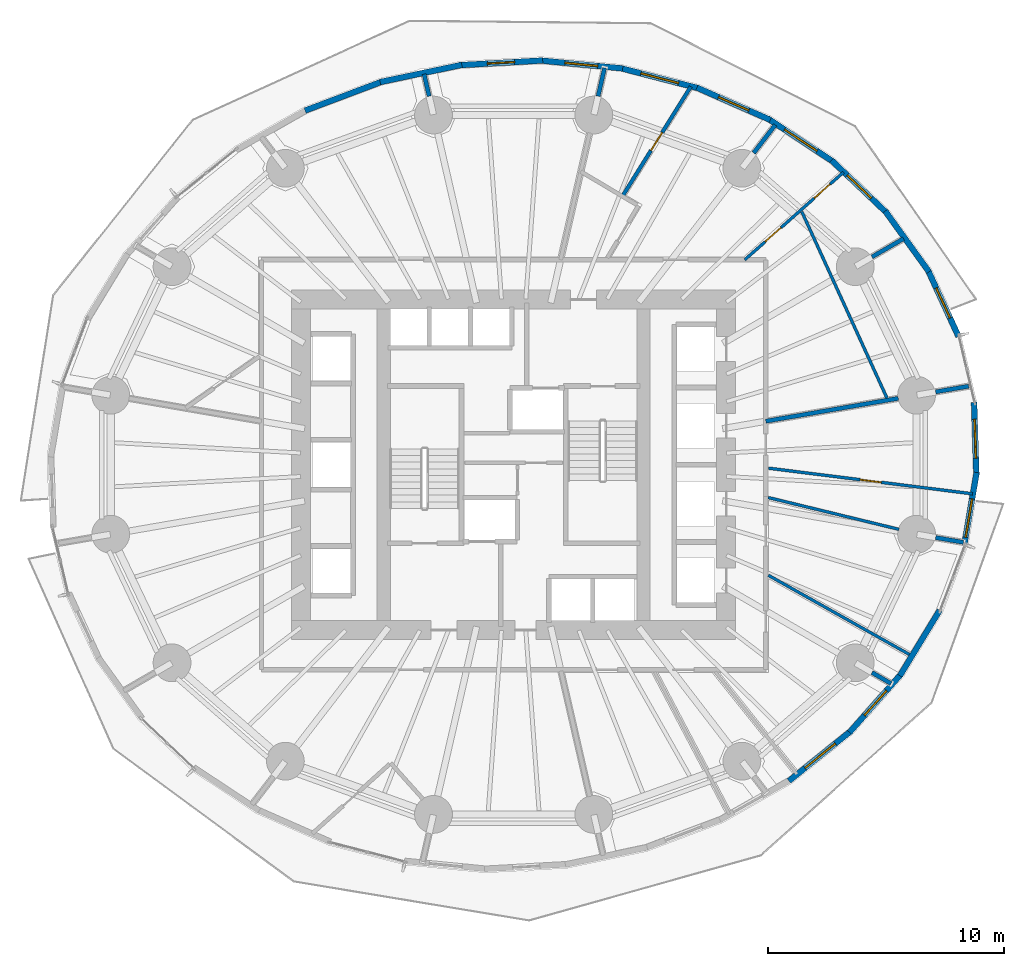
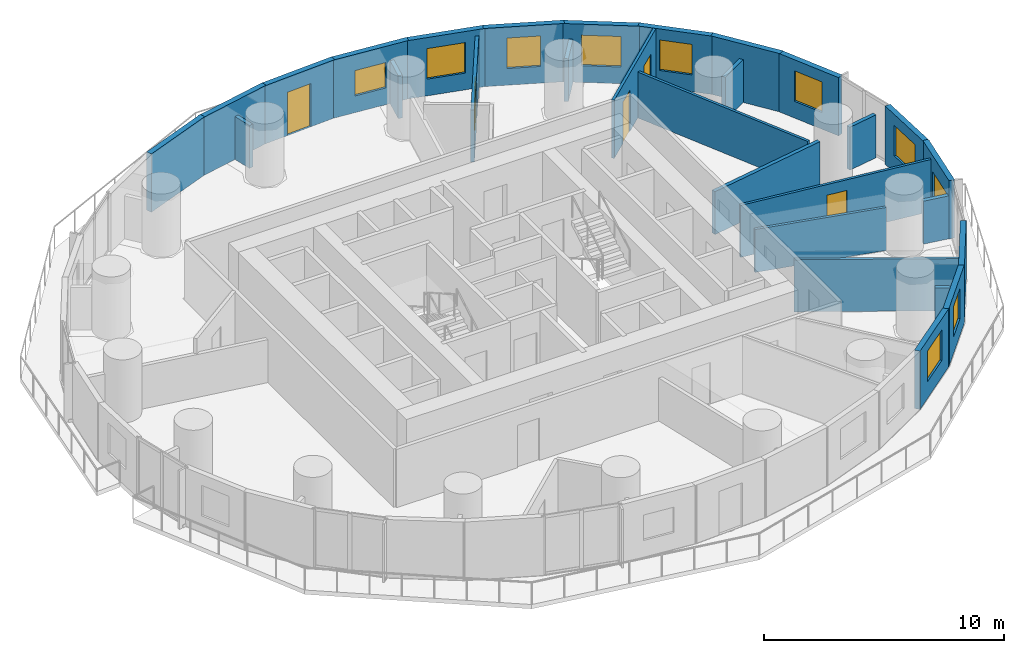
# One storey, part 9 of 14: 29 walls, 10 windows, 5 doors, 15 openings.
"""IFC4 building model written with IfcOpenShell, lengths in metres."""

from ifc_helpers import new_model, si_unit, direction, frame, frame_2d, origin, place, context, subcontext, project, spatial, rectangle, extrude, material, layer, layer_set, type_object, element, fill, save


model = new_model("IFC4")

# Units and contexts
model_context = context("Model", 3, precision=1e-05, world=origin(), true_north=direction((0.0, 1.0)))
body_context = subcontext(model_context, "Body", "Model", "MODEL_VIEW")
ifc_project = project(units=[si_unit("LENGTHUNIT", "METRE"), si_unit("AREAUNIT", "SQUARE_METRE"), si_unit("VOLUMEUNIT", "CUBIC_METRE"), si_unit("PLANEANGLEUNIT", "RADIAN"), si_unit("MASSUNIT", "GRAM", prefix="KILO")], contexts=[model_context])

# Site, building, storey
site_placement = place(None, origin())
site = spatial("IfcSite", under=ifc_project, at=site_placement, CompositionType="ELEMENT")
building_placement = place(site_placement, origin())
building = spatial("IfcBuilding", under=site, at=building_placement, Name="Veldorim Arch Residences", CompositionType="ELEMENT")
storey_placement = place(building_placement, frame((0.0, 0.0, 34.39990234375)))
storey = spatial("IfcBuildingStorey", under=building, at=storey_placement, Name="L09", CompositionType="ELEMENT", Elevation=34.39990234375)

# Wall, opening, door
ifc_material_1 = material(Name="Acoustic Gypsum Board", Category="gypsum")
ifc_layer_1 = layer(ifc_material_1, 0.125, Name="Acoustic Stud Room Partition Wall 125")
ifc_layer_set_1 = layer_set([ifc_layer_1], Name="Acoustic Gypsum Board")
wall_type_1 = type_object("IfcWallType", Name="Acoustic Stud Room Partition Wall 125", PredefinedType="PARTITIONING", material=ifc_layer_set_1)
wall_1_placement = place(storey_placement, frame((51.439453125, 22.767822265625, 0.0), z_axis=(0.0, 0.0, 1.0), x_axis=(-0.992204813033, 0.124617851825, 0.0)))
wall_1 = element("IfcWall", 1, at=wall_1_placement, inside=storey, type_object=wall_type_1, Name="L09 interior wall WL-RES-L09-006", PredefinedType="PARTITIONING", context=body_context, shape_type="SweptSolid", body=[
    extrude(rectangle(XDim=8.708251953125, YDim=0.125, at=frame_2d((4.35400390625, 0.0))), origin(), (0.0, 0.0, 1.0), 2.6416015625),
])
opening_1_placement = place(wall_1_placement, frame((3.904052734375, 0.0, 0.0)))
opening_1 = element("IfcOpeningElement", 2, at=opening_1_placement, cuts=wall_1, Name="Opening DR-SVC", PredefinedType="OPENING", context=body_context, shape_type="SweptSolid", body=[
    extrude(rectangle(XDim=0.89990234375, YDim=2.10009765625, at=frame_2d((0.449951171875, 1.050048828125))), frame((0.0, 0.072509765625, 0.0), z_axis=(0.0, -1.0, 0.0), x_axis=(1.0, 0.0, 0.0)), (0.0, 0.0, 1.0), 0.14501953125),
])
ifc_material_2 = material(Name="Fire-Rated Steel", Category="steel")
door_type_1 = type_object("IfcDoorType", Name="Riser, Shelter & Plant Room Rated Steel Door 900x2100", OperationType="SINGLE_SWING_LEFT", PredefinedType="DOOR", material=ifc_material_2)
door_1_placement = place(opening_1_placement, origin())
door_1 = element("IfcDoor", 3, at=door_1_placement, inside=storey, type_object=door_type_1, Name="L09 interior door DR-RES-L09-006", OperationType="SINGLE_SWING_RIGHT", OverallHeight=2.10009765625, OverallWidth=0.89990234375, PredefinedType="DOOR", context=body_context, shape_type="SweptSolid", body=[
    extrude(rectangle(XDim=0.89990234375, YDim=2.10009765625, at=frame_2d((0.449951171875, 1.050048828125))), frame((0.0, 0.02490234375, 0.0), z_axis=(0.0, -1.0, 0.0), x_axis=(1.0, 0.0, 0.0)), (0.0, 0.0, 1.0), 0.050048828125),
])
fill(opening_1, door_1)

# Walls
wall_2_placement = place(storey_placement, frame((48.85791015625, 15.9091796875, 0.0), z_axis=(0.0, 0.0, 1.0), x_axis=(-0.871931019114, 0.489628734764, 0.0)))
element("IfcWall", 4, at=wall_2_placement, inside=storey, type_object=wall_type_1, Name="L09 interior wall WL-RES-L09-008", PredefinedType="PARTITIONING", context=body_context, shape_type="SweptSolid", body=[
    extrude(rectangle(XDim=6.96533203125, YDim=0.125, at=frame_2d((3.482666015625, 0.0))), origin(), (0.0, 0.0, 1.0), 2.6416015625),
])
wall_3_placement = place(storey_placement, frame((42.777099609375, 22.612060546875, 0.0), z_axis=(0.0, 0.0, 1.0), x_axis=(0.971633604644, -0.236491307083, 0.0)))
element("IfcWall", 5, at=wall_3_placement, inside=storey, type_object=wall_type_1, Name="L09 interior wall WL-RES-L09-009", PredefinedType="PARTITIONING", context=body_context, shape_type="SweptSolid", body=[
    extrude(rectangle(XDim=5.706787109375, YDim=0.125, at=frame_2d((2.853515625, 0.0))), origin(), (0.0, 0.0, 1.0), 2.17822265625),
])

# Wall, openings, doors
wall_4_placement = place(storey_placement, frame((45.972900390625, 36.389892578125, 0.0), z_axis=(0.0, 0.0, 1.0), x_axis=(-0.748208515509, -0.663463651845, 0.0)))
wall_4 = element("IfcWall", 6, at=wall_4_placement, inside=storey, type_object=wall_type_1, Name="L09 interior wall WL-RES-L09-014", PredefinedType="PARTITIONING", context=body_context, shape_type="SweptSolid", body=[
    extrude(rectangle(XDim=5.591796875, YDim=0.125, at=frame_2d((2.7958984375, 0.0))), origin(), (0.0, 0.0, 1.0), 2.955078125),
])
opening_2_placement = place(wall_4_placement, frame((0.7646484375, 0.0, 0.0)))
opening_2 = element("IfcOpeningElement", 7, at=opening_2_placement, cuts=wall_4, Name="Opening DR-INT", PredefinedType="OPENING", context=body_context, shape_type="SweptSolid", body=[
    extrude(rectangle(XDim=0.89990234375, YDim=2.10009765625, at=frame_2d((0.449951171875, 1.050048828125))), frame((0.0, 0.072509765625, 0.0), z_axis=(0.0, -1.0, 0.0), x_axis=(1.0, 0.0, 0.0)), (0.0, 0.0, 1.0), 0.14501953125),
])
opening_3_placement = place(wall_4_placement, frame((3.5400390625, 0.0, 0.0)))
opening_3 = element("IfcOpeningElement", 8, at=opening_3_placement, cuts=wall_4, Name="Opening DR-INT", PredefinedType="OPENING", context=body_context, shape_type="SweptSolid", body=[
    extrude(rectangle(XDim=0.89990234375, YDim=2.10009765625, at=frame_2d((0.449951171875, 1.050048828125))), frame((0.0, 0.072509765625, 0.0), z_axis=(0.0, -1.0, 0.0), x_axis=(1.0, 0.0, 0.0)), (0.0, 0.0, 1.0), 0.14501953125),
])
ifc_material_3 = material(Name="Engineered Timber", Category="wood")
door_type_2 = type_object("IfcDoorType", Name="Apartment Internal Room Timber Door 900x2100", OperationType="SINGLE_SWING_LEFT", PredefinedType="DOOR", material=ifc_material_3)
door_2_placement = place(opening_2_placement, origin())
door_2 = element("IfcDoor", 9, at=door_2_placement, inside=storey, type_object=door_type_2, Name="L09 interior door DR-RES-L09-009", OperationType="SINGLE_SWING_LEFT", OverallHeight=2.10009765625, OverallWidth=0.89990234375, PredefinedType="DOOR", context=body_context, shape_type="SweptSolid", body=[
    extrude(rectangle(XDim=0.89990234375, YDim=2.10009765625, at=frame_2d((0.449951171875, 1.050048828125))), frame((0.0, 0.02490234375, 0.0), z_axis=(0.0, -1.0, 0.0), x_axis=(1.0, 0.0, 0.0)), (0.0, 0.0, 1.0), 0.050048828125),
])
fill(opening_2, door_2)
door_3_placement = place(opening_3_placement, origin())
door_3 = element("IfcDoor", 10, at=door_3_placement, inside=storey, type_object=door_type_2, Name="L09 interior door DR-RES-L09-010", OperationType="SINGLE_SWING_RIGHT", OverallHeight=2.10009765625, OverallWidth=0.89990234375, PredefinedType="DOOR", context=body_context, shape_type="SweptSolid", body=[
    extrude(rectangle(XDim=0.89990234375, YDim=2.10009765625, at=frame_2d((0.449951171875, 1.050048828125))), frame((0.0, 0.02490234375, 0.0), z_axis=(0.0, -1.0, 0.0), x_axis=(1.0, 0.0, 0.0)), (0.0, 0.0, 1.0), 0.050048828125),
])
fill(opening_3, door_3)

# Walls
wall_5_placement = place(storey_placement, frame((47.81005859375, 26.827392578125, 0.0), z_axis=(0.0, 0.0, 1.0), x_axis=(-0.41559351113, 0.909550456823, 0.0)))
element("IfcWall", 11, at=wall_5_placement, inside=storey, type_object=wall_type_1, Name="L09 interior wall WL-RES-L09-018", PredefinedType="PARTITIONING", context=body_context, shape_type="SweptSolid", body=[
    extrude(rectangle(XDim=8.6767578125, YDim=0.125, at=frame_2d((4.33837890625, 0.0))), origin(), (0.0, 0.0, 1.0), 2.327880859375),
])
ifc_material_4 = material(Name="Lightweight Masonry Block & Gypsum", Category="masonry")
ifc_layer_2 = layer(ifc_material_4, 0.179931640625, Name="Compartment & Corridor Fire-Rated Party Wall 180")
ifc_layer_set_2 = layer_set([ifc_layer_2], Name="Lightweight Masonry Block & Gypsum")
wall_type_2 = type_object("IfcWallType", Name="Compartment & Corridor Fire-Rated Party Wall 180", PredefinedType="PARTITIONING", material=ifc_layer_set_2)
wall_6_placement = place(storey_placement, frame((49.873779296875, 27.08544921875, 0.0), z_axis=(0.0, 0.0, 1.0), x_axis=(0.985419363098, 0.170143112797, 0.0)))
element("IfcWall", 12, at=wall_6_placement, inside=storey, type_object=wall_type_2, Name="L09 interior wall WL-PIER-L09-01", PredefinedType="PARTITIONING", context=body_context, shape_type="SweptSolid", body=[
    extrude(rectangle(XDim=1.419189453125, YDim=0.179931640625, at=frame_2d((0.70947265625, 0.0))), origin(), (0.0, 0.0, 1.0), 2.17822265625),
])
wall_7_placement = place(storey_placement, frame((47.177001953125, 32.80029296875, 0.0), z_axis=(0.0, 0.0, 1.0), x_axis=(0.865036673907, 0.501708633369, 0.0)))
element("IfcWall", 13, at=wall_7_placement, inside=storey, type_object=wall_type_2, Name="L09 interior wall WL-PIER-L09-02", PredefinedType="PARTITIONING", context=body_context, shape_type="SweptSolid", body=[
    extrude(rectangle(XDim=1.54541015625, YDim=0.179931640625, at=frame_2d((0.772705078125, 0.0))), origin(), (0.0, 0.0, 1.0), 2.17822265625),
])
wall_8_placement = place(storey_placement, frame((42.167236328125, 37.204833984375, 0.0), z_axis=(0.0, 0.0, 1.0), x_axis=(0.609978856004, 0.792417689876, 0.0)))
element("IfcWall", 14, at=wall_8_placement, inside=storey, type_object=wall_type_2, Name="L09 interior wall WL-PIER-L09-03", PredefinedType="PARTITIONING", context=body_context, shape_type="SweptSolid", body=[
    extrude(rectangle(XDim=1.49609375, YDim=0.179931640625, at=frame_2d((0.748046875, 0.0))), origin(), (0.0, 0.0, 1.0), 2.17822265625),
])
wall_9_placement = place(storey_placement, frame((35.577880859375, 39.609130859375, 0.0), z_axis=(0.0, 0.0, 1.0), x_axis=(0.223317008343, 0.974745871386, 0.0)))
element("IfcWall", 15, at=wall_9_placement, inside=storey, type_object=wall_type_2, Name="L09 interior wall WL-PIER-L09-04", PredefinedType="PARTITIONING", context=body_context, shape_type="SweptSolid", body=[
    extrude(rectangle(XDim=1.2255859375, YDim=0.179931640625, at=frame_2d((0.61279296875, 0.0))), origin(), (0.0, 0.0, 1.0), 2.17822265625),
])
wall_10_placement = place(storey_placement, frame((28.422119140625, 39.609130859375, 0.0), z_axis=(0.0, 0.0, 1.0), x_axis=(-0.223204870581, 0.974771555673, 0.0)))
element("IfcWall", 16, at=wall_10_placement, inside=storey, type_object=wall_type_2, Name="L09 interior wall WL-PIER-L09-05", PredefinedType="PARTITIONING", context=body_context, shape_type="SweptSolid", body=[
    extrude(rectangle(XDim=0.959228515625, YDim=0.179931640625, at=frame_2d((0.4794921875, 0.0))), origin(), (0.0, 0.0, 1.0), 2.17822265625),
])
wall_11_placement = place(storey_placement, frame((47.177001953125, 15.19970703125, 0.0), z_axis=(0.0, 0.0, 1.0), x_axis=(0.864965183009, -0.501831876411, 0.0)))
element("IfcWall", 17, at=wall_11_placement, inside=storey, type_object=wall_type_2, Name="L09 interior wall WL-PIER-L09-15", PredefinedType="PARTITIONING", context=body_context, shape_type="SweptSolid", body=[
    extrude(rectangle(XDim=0.93115234375, YDim=0.179931640625, at=frame_2d((0.465576171875, 0.0))), origin(), (0.0, 0.0, 1.0), 2.17822265625),
])
wall_12_placement = place(storey_placement, frame((49.873779296875, 20.91455078125, 0.0), z_axis=(0.0, 0.0, 1.0), x_axis=(0.98541644509, -0.170160012181, 0.0)))
element("IfcWall", 18, at=wall_12_placement, inside=storey, type_object=wall_type_2, Name="L09 interior wall WL-PIER-L09-16", PredefinedType="PARTITIONING", context=body_context, shape_type="SweptSolid", body=[
    extrude(rectangle(XDim=1.195068359375, YDim=0.179931640625, at=frame_2d((0.59765625, 0.0))), origin(), (0.0, 0.0, 1.0), 2.17822265625),
])
wall_13_placement = place(storey_placement, frame((42.679931640625, 25.843505859375, 0.0), z_axis=(0.0, 0.0, 1.0), x_axis=(0.98542122422, 0.170132333364, 0.0)))
element("IfcWall", 19, at=wall_13_placement, inside=storey, type_object=wall_type_2, Name="L09 interior wall WL-RES-L09-007", PredefinedType="PARTITIONING", context=body_context, shape_type="SweptSolid", body=[
    extrude(rectangle(XDim=5.694091796875, YDim=0.179931640625, at=frame_2d((2.84716796875, 0.0))), origin(), (0.0, 0.0, 1.0), 2.17822265625),
])

# Wall, opening, window
ifc_material_5 = material(Name="Precast concrete C40/50", Category="concrete")
ifc_layer_3 = layer(ifc_material_5, 0.25, Name="Tower Terracotta Spandrel & Pier Wall 250")
ifc_layer_set_3 = layer_set([ifc_layer_3], Name="Precast concrete C40/50")
wall_type_3 = type_object("IfcWallType", Name="Tower Terracotta Spandrel & Pier Wall 250", PredefinedType="SOLIDWALL", material=ifc_layer_set_3)
wall_14_placement = place(storey_placement, frame((49.537841796875, 32.26806640625, 0.0), z_axis=(0.0, 0.0, 1.0), x_axis=(0.417872029175, -0.908505898293, 0.0)))
wall_14 = element("IfcWall", 20, at=wall_14_placement, inside=storey, type_object=wall_type_3, Name="L09 terracotta facade wall 02", PredefinedType="SOLIDWALL", context=body_context, shape_type="SweptSolid", body=[
    extrude(rectangle(XDim=3.120361328125, YDim=0.25, at=frame_2d((1.56005859375, 0.0))), origin(), (0.0, 0.0, 1.0), 2.960205078125),
])
opening_4_placement = place(wall_14_placement, frame((0.860107421875, 0.0, 0.85009765625)))
opening_4 = element("IfcOpeningElement", 21, at=opening_4_placement, cuts=wall_14, Name="Opening WN-02", PredefinedType="OPENING", context=body_context, shape_type="SweptSolid", body=[
    extrude(rectangle(XDim=1.39990234375, YDim=1.550048828125, at=frame_2d((0.699951171875, 0.77490234375))), frame((0.0, 0.135009765625, 0.0), z_axis=(0.0, -1.0, 0.0), x_axis=(1.0, 0.0, 0.0)), (0.0, 0.0, 1.0), 0.27001953125),
])
ifc_material_6 = material(Name="Laminated Low-E Glass", Category="glass")
window_type_1 = type_object("IfcWindowType", Name="Residential Casement Window 1400x1550", PartitioningType="SINGLE_PANEL", PredefinedType="WINDOW", material=ifc_material_6)
window_1_placement = place(opening_4_placement, origin())
window_1 = element("IfcWindow", 22, at=window_1_placement, inside=storey, type_object=window_type_1, Name="L09 solar-control facade window 02", OverallHeight=1.550048828125, OverallWidth=1.39990234375, PartitioningType="SINGLE_PANEL", PredefinedType="WINDOW", context=body_context, shape_type="SweptSolid", body=[
    extrude(rectangle(XDim=1.39990234375, YDim=1.550048828125, at=frame_2d((0.699951171875, 0.77490234375))), frame((0.0, 0.030029296875, 0.0), z_axis=(0.0, -1.0, 0.0), x_axis=(1.0, 0.0, 0.0)), (0.0, 0.0, 1.0), 0.06005859375),
])
fill(opening_4, window_1)

# Wall
wall_15_placement = place(storey_placement, frame((47.739013671875, 34.74462890625, 0.0), z_axis=(0.0, 0.0, 1.0), x_axis=(0.584805106467, -0.811173833066, 0.0)))
element("IfcWall", 23, at=wall_15_placement, inside=storey, type_object=wall_type_3, Name="L09 terracotta facade wall 03", PredefinedType="SOLIDWALL", context=body_context, shape_type="SweptSolid", body=[
    extrude(rectangle(XDim=3.174072265625, YDim=0.25, at=frame_2d((1.5869140625, 0.0))), origin(), (0.0, 0.0, 1.0), 2.960205078125),
])

# Wall, opening, window
wall_16_placement = place(storey_placement, frame((45.46240234375, 36.895751953125, 0.0), z_axis=(0.0, 0.0, 1.0), x_axis=(0.724569059836, -0.689202203659, 0.0)))
wall_16 = element("IfcWall", 24, at=wall_16_placement, inside=storey, type_object=wall_type_3, Name="L09 terracotta facade wall 04", PredefinedType="SOLIDWALL", context=body_context, shape_type="SweptSolid", body=[
    extrude(rectangle(XDim=3.244384765625, YDim=0.25, at=frame_2d((1.6220703125, 0.0))), origin(), (0.0, 0.0, 1.0), 2.960205078125),
])
opening_5_placement = place(wall_16_placement, frame((0.922119140625, 0.0, 0.85009765625)))
opening_5 = element("IfcOpeningElement", 25, at=opening_5_placement, cuts=wall_16, Name="Opening WN-02", PredefinedType="OPENING", context=body_context, shape_type="SweptSolid", body=[
    extrude(rectangle(XDim=1.39990234375, YDim=1.550048828125, at=frame_2d((0.699951171875, 0.77490234375))), frame((0.0, 0.135009765625, 0.0), z_axis=(0.0, -1.0, 0.0), x_axis=(1.0, 0.0, 0.0)), (0.0, 0.0, 1.0), 0.27001953125),
])
window_2_placement = place(opening_5_placement, origin())
window_2 = element("IfcWindow", 26, at=window_2_placement, inside=storey, type_object=window_type_1, Name="L09 solar-control facade window 04", OverallHeight=1.550048828125, OverallWidth=1.39990234375, PartitioningType="SINGLE_PANEL", PredefinedType="WINDOW", context=body_context, shape_type="SweptSolid", body=[
    extrude(rectangle(XDim=1.39990234375, YDim=1.550048828125, at=frame_2d((0.699951171875, 0.77490234375))), frame((0.0, 0.030029296875, 0.0), z_axis=(0.0, -1.0, 0.0), x_axis=(1.0, 0.0, 0.0)), (0.0, 0.0, 1.0), 0.06005859375),
])
fill(opening_5, window_2)

wall_17_placement = place(storey_placement, frame((42.776611328125, 38.656494140625, 0.0), z_axis=(0.0, 0.0, 1.0), x_axis=(0.834663448541, -0.550760317805, 0.0)))
wall_17 = element("IfcWall", 27, at=wall_17_placement, inside=storey, type_object=wall_type_3, Name="L09 terracotta facade wall 05", PredefinedType="SOLIDWALL", context=body_context, shape_type="SweptSolid", body=[
    extrude(rectangle(XDim=3.32275390625, YDim=0.25, at=frame_2d((1.661376953125, 0.0))), origin(), (0.0, 0.0, 1.0), 2.960205078125),
])
opening_6_placement = place(wall_17_placement, frame((0.8359375, 0.0, 0.85009765625)))
opening_6 = element("IfcOpeningElement", 28, at=opening_6_placement, cuts=wall_17, Name="Opening WN-03", PredefinedType="OPENING", context=body_context, shape_type="SweptSolid", body=[
    extrude(rectangle(XDim=1.64990234375, YDim=1.550048828125, at=frame_2d((0.824951171875, 0.77490234375))), frame((0.0, 0.135009765625, 0.0), z_axis=(0.0, -1.0, 0.0), x_axis=(1.0, 0.0, 0.0)), (0.0, 0.0, 1.0), 0.27001953125),
])
ifc_material_7 = material(Name="Laminated Low-E Glass", Category="glass")
window_type_2 = type_object("IfcWindowType", Name="Residential Wide Window 1650x1550", PartitioningType="SINGLE_PANEL", PredefinedType="WINDOW", material=ifc_material_7)
window_3_placement = place(opening_6_placement, origin())
window_3 = element("IfcWindow", 29, at=window_3_placement, inside=storey, type_object=window_type_2, Name="L09 solar-control facade window 05", OverallHeight=1.550048828125, OverallWidth=1.64990234375, PartitioningType="SINGLE_PANEL", PredefinedType="WINDOW", context=body_context, shape_type="SweptSolid", body=[
    extrude(rectangle(XDim=1.64990234375, YDim=1.550048828125, at=frame_2d((0.824951171875, 0.77490234375))), frame((0.0, 0.030029296875, 0.0), z_axis=(0.0, -1.0, 0.0), x_axis=(1.0, 0.0, 0.0)), (0.0, 0.0, 1.0), 0.06005859375),
])
fill(opening_6, window_3)

wall_18_placement = place(storey_placement, frame((39.7626953125, 39.972412109375, 0.0), z_axis=(0.0, 0.0, 1.0), x_axis=(0.915312914138, -0.402743428515, 0.0)))
wall_18 = element("IfcWall", 30, at=wall_18_placement, inside=storey, type_object=wall_type_3, Name="L09 terracotta facade wall 06", PredefinedType="SOLIDWALL", context=body_context, shape_type="SweptSolid", body=[
    extrude(rectangle(XDim=3.39892578125, YDim=0.25, at=frame_2d((1.699462890625, 0.0))), origin(), (0.0, 0.0, 1.0), 2.960205078125),
])
opening_7_placement = place(wall_18_placement, frame((1.0, 0.0, 0.85009765625)))
opening_7 = element("IfcOpeningElement", 31, at=opening_7_placement, cuts=wall_18, Name="Opening WN-02", PredefinedType="OPENING", context=body_context, shape_type="SweptSolid", body=[
    extrude(rectangle(XDim=1.39990234375, YDim=1.550048828125, at=frame_2d((0.699951171875, 0.77490234375))), frame((0.0, 0.135009765625, 0.0), z_axis=(0.0, -1.0, 0.0), x_axis=(1.0, 0.0, 0.0)), (0.0, 0.0, 1.0), 0.27001953125),
])
window_4_placement = place(opening_7_placement, origin())
window_4 = element("IfcWindow", 32, at=window_4_placement, inside=storey, type_object=window_type_1, Name="L09 solar-control facade window 06", OverallHeight=1.550048828125, OverallWidth=1.39990234375, PartitioningType="SINGLE_PANEL", PredefinedType="WINDOW", context=body_context, shape_type="SweptSolid", body=[
    extrude(rectangle(XDim=1.39990234375, YDim=1.550048828125, at=frame_2d((0.699951171875, 0.77490234375))), frame((0.0, 0.030029296875, 0.0), z_axis=(0.0, -1.0, 0.0), x_axis=(1.0, 0.0, 0.0)), (0.0, 0.0, 1.0), 0.06005859375),
])
fill(opening_7, window_4)

wall_19_placement = place(storey_placement, frame((36.51171875, 40.803466796875, 0.0), z_axis=(0.0, 0.0, 1.0), x_axis=(0.968176058434, -0.250270093848, 0.0)))
wall_19 = element("IfcWall", 33, at=wall_19_placement, inside=storey, type_object=wall_type_3, Name="L09 terracotta facade wall 07", PredefinedType="SOLIDWALL", context=body_context, shape_type="SweptSolid", body=[
    extrude(rectangle(XDim=3.465087890625, YDim=0.25, at=frame_2d((1.732421875, 0.0))), origin(), (0.0, 0.0, 1.0), 2.960205078125),
])
opening_8_placement = place(wall_19_placement, frame((0.906982421875, 0.0, 0.85009765625)))
opening_8 = element("IfcOpeningElement", 34, at=opening_8_placement, cuts=wall_19, Name="Opening WN-03", PredefinedType="OPENING", context=body_context, shape_type="SweptSolid", body=[
    extrude(rectangle(XDim=1.64990234375, YDim=1.550048828125, at=frame_2d((0.824951171875, 0.77490234375))), frame((0.0, 0.135009765625, 0.0), z_axis=(0.0, -1.0, 0.0), x_axis=(1.0, 0.0, 0.0)), (0.0, 0.0, 1.0), 0.27001953125),
])
window_5_placement = place(opening_8_placement, origin())
window_5 = element("IfcWindow", 35, at=window_5_placement, inside=storey, type_object=window_type_2, Name="L09 solar-control facade window 07", OverallHeight=1.550048828125, OverallWidth=1.64990234375, PartitioningType="SINGLE_PANEL", PredefinedType="WINDOW", context=body_context, shape_type="SweptSolid", body=[
    extrude(rectangle(XDim=1.64990234375, YDim=1.550048828125, at=frame_2d((0.824951171875, 0.77490234375))), frame((0.0, 0.030029296875, 0.0), z_axis=(0.0, -1.0, 0.0), x_axis=(1.0, 0.0, 0.0)), (0.0, 0.0, 1.0), 0.06005859375),
])
fill(opening_8, window_5)

wall_20_placement = place(storey_placement, frame((33.122802734375, 41.123779296875, 0.0), z_axis=(0.0, 0.0, 1.0), x_axis=(0.995323323337, -0.096599596386, 0.0)))
wall_20 = element("IfcWall", 36, at=wall_20_placement, inside=storey, type_object=wall_type_3, Name="L09 terracotta facade wall 08", PredefinedType="SOLIDWALL", context=body_context, shape_type="SweptSolid", body=[
    extrude(rectangle(XDim=3.512939453125, YDim=0.25, at=frame_2d((1.75634765625, 0.0))), origin(), (0.0, 0.0, 1.0), 2.960205078125),
])
opening_9_placement = place(wall_20_placement, frame((1.055908203125, 0.0, 0.85009765625)))
opening_9 = element("IfcOpeningElement", 37, at=opening_9_placement, cuts=wall_20, Name="Opening WN-02", PredefinedType="OPENING", context=body_context, shape_type="SweptSolid", body=[
    extrude(rectangle(XDim=1.39990234375, YDim=1.2900390625, at=frame_2d((0.699951171875, 0.64501953125))), frame((0.0, 0.135009765625, 0.0), z_axis=(0.0, -1.0, 0.0), x_axis=(1.0, 0.0, 0.0)), (0.0, 0.0, 1.0), 0.27001953125),
])
window_6_placement = place(opening_9_placement, origin())
window_6 = element("IfcWindow", 38, at=window_6_placement, inside=storey, type_object=window_type_1, Name="L09 solar-control facade window 08", OverallHeight=1.2900390625, OverallWidth=1.39990234375, PartitioningType="SINGLE_PANEL", PredefinedType="WINDOW", context=body_context, shape_type="SweptSolid", body=[
    extrude(rectangle(XDim=1.39990234375, YDim=1.2900390625, at=frame_2d((0.699951171875, 0.64501953125))), frame((0.0, 0.030029296875, 0.0), z_axis=(0.0, -1.0, 0.0), x_axis=(1.0, 0.0, 0.0)), (0.0, 0.0, 1.0), 0.06005859375),
])
fill(opening_9, window_6)

# Wall, opening, door
wall_21_placement = place(storey_placement, frame((29.69921875, 40.923095703125, 0.0), z_axis=(0.0, 0.0, 1.0), x_axis=(0.998425121055, 0.056100602904, 0.0)))
wall_21 = element("IfcWall", 39, at=wall_21_placement, inside=storey, type_object=wall_type_3, Name="L09 terracotta facade wall 09", PredefinedType="SOLIDWALL", context=body_context, shape_type="SweptSolid", body=[
    extrude(rectangle(XDim=3.5380859375, YDim=0.25, at=frame_2d((1.76904296875, 0.0))), origin(), (0.0, 0.0, 1.0), 2.960205078125),
])
opening_10_placement = place(wall_21_placement, frame((1.194091796875, 0.0, 0.0)))
opening_10 = element("IfcOpeningElement", 40, at=opening_10_placement, cuts=wall_21, Name="Opening BL-DR", PredefinedType="OPENING", context=body_context, shape_type="SweptSolid", body=[
    extrude(rectangle(XDim=1.14990234375, YDim=2.199951171875, at=frame_2d((0.574951171875, 1.10009765625))), frame((0.0, 0.135009765625, 0.0), z_axis=(0.0, -1.0, 0.0), x_axis=(1.0, 0.0, 0.0)), (0.0, 0.0, 1.0), 0.27001953125),
])
ifc_material_8 = material(Name="Aluminium & Low-E Glass", Category="aluminium")
door_type_3 = type_object("IfcDoorType", Name="Glazed Planted Balcony Door 1150x2200", OperationType="SINGLE_SWING_LEFT", PredefinedType="DOOR", material=ifc_material_8)
door_4_placement = place(opening_10_placement, origin())
door_4 = element("IfcDoor", 41, at=door_4_placement, inside=storey, type_object=door_type_3, Name="L09 glazed outdoor terrace door BALC-1", OperationType="SINGLE_SWING_LEFT", OverallHeight=2.199951171875, OverallWidth=1.14990234375, PredefinedType="DOOR", context=body_context, shape_type="SweptSolid", body=[
    extrude(rectangle(XDim=1.14990234375, YDim=2.199951171875, at=frame_2d((0.574951171875, 1.10009765625))), frame((0.0, 0.02490234375, 0.0), z_axis=(0.0, -1.0, 0.0), x_axis=(1.0, 0.0, 0.0)), (0.0, 0.0, 1.0), 0.050048828125),
])
fill(opening_10, door_4)

# Walls
wall_22_placement = place(storey_placement, frame((26.344970703125, 40.20751953125, 0.0), z_axis=(0.0, 0.0, 1.0), x_axis=(0.978483842038, 0.206323461756, 0.0)))
element("IfcWall", 42, at=wall_22_placement, inside=storey, type_object=wall_type_3, Name="L09 terracotta facade wall 10", PredefinedType="SOLIDWALL", context=body_context, shape_type="SweptSolid", body=[
    extrude(rectangle(XDim=3.5380859375, YDim=0.25, at=frame_2d((1.76904296875, 0.0))), origin(), (0.0, 0.0, 1.0), 2.960205078125),
])
wall_23_placement = place(storey_placement, frame((23.162353515625, 38.99853515625, 0.0), z_axis=(0.0, 0.0, 1.0), x_axis=(0.935679231508, 0.352851775857, 0.0)))
element("IfcWall", 43, at=wall_23_placement, inside=storey, type_object=wall_type_3, Name="L09 terracotta facade wall 11", PredefinedType="SOLIDWALL", context=body_context, shape_type="SweptSolid", body=[
    extrude(rectangle(XDim=3.5126953125, YDim=0.25, at=frame_2d((1.75634765625, 0.0))), origin(), (0.0, 0.0, 1.0), 2.960205078125),
])

# Wall, opening, window
wall_24_placement = place(storey_placement, frame((46.306640625, 12.738525390625, 0.0), z_axis=(0.0, 0.0, 1.0), x_axis=(-0.778586232895, -0.627537630701, 0.0)))
wall_24 = element("IfcWall", 44, at=wall_24_placement, inside=storey, type_object=wall_type_3, Name="L09 terracotta facade wall 31", PredefinedType="SOLIDWALL", context=body_context, shape_type="SweptSolid", body=[
    extrude(rectangle(XDim=3.399169921875, YDim=0.25, at=frame_2d((1.69970703125, 0.0))), origin(), (0.0, 0.0, 1.0), 2.960205078125),
])
opening_11_placement = place(wall_24_placement, frame((0.875, 0.0, 0.85009765625)))
opening_11 = element("IfcOpeningElement", 45, at=opening_11_placement, cuts=wall_24, Name="Opening WN-03", PredefinedType="OPENING", context=body_context, shape_type="SweptSolid", body=[
    extrude(rectangle(XDim=1.64990234375, YDim=1.550048828125, at=frame_2d((0.824951171875, 0.77490234375))), frame((0.0, 0.135009765625, 0.0), z_axis=(0.0, -1.0, 0.0), x_axis=(1.0, 0.0, 0.0)), (0.0, 0.0, 1.0), 0.27001953125),
])
window_7_placement = place(opening_11_placement, origin())
window_7 = element("IfcWindow", 46, at=window_7_placement, inside=storey, type_object=window_type_2, Name="L09 solar-control facade window 31", OverallHeight=1.550048828125, OverallWidth=1.64990234375, PartitioningType="SINGLE_PANEL", PredefinedType="WINDOW", context=body_context, shape_type="SweptSolid", body=[
    extrude(rectangle(XDim=1.64990234375, YDim=1.550048828125, at=frame_2d((0.824951171875, 0.77490234375))), frame((0.0, 0.030029296875, 0.0), z_axis=(0.0, -1.0, 0.0), x_axis=(1.0, 0.0, 0.0)), (0.0, 0.0, 1.0), 0.06005859375),
])
fill(opening_11, window_7)

wall_25_placement = place(storey_placement, frame((48.426513671875, 15.152099609375, 0.0), z_axis=(0.0, 0.0, 1.0), x_axis=(-0.662112398544, -0.749404544751, 0.0)))
wall_25 = element("IfcWall", 47, at=wall_25_placement, inside=storey, type_object=wall_type_3, Name="L09 terracotta facade wall 32", PredefinedType="SOLIDWALL", context=body_context, shape_type="SweptSolid", body=[
    extrude(rectangle(XDim=3.322509765625, YDim=0.25, at=frame_2d((1.6611328125, 0.0))), origin(), (0.0, 0.0, 1.0), 2.960205078125),
])
opening_12_placement = place(wall_25_placement, frame((0.9609375, 0.0, 0.85009765625)))
opening_12 = element("IfcOpeningElement", 48, at=opening_12_placement, cuts=wall_25, Name="Opening WN-02", PredefinedType="OPENING", context=body_context, shape_type="SweptSolid", body=[
    extrude(rectangle(XDim=1.39990234375, YDim=1.550048828125, at=frame_2d((0.699951171875, 0.77490234375))), frame((0.0, 0.135009765625, 0.0), z_axis=(0.0, -1.0, 0.0), x_axis=(1.0, 0.0, 0.0)), (0.0, 0.0, 1.0), 0.27001953125),
])
window_8_placement = place(opening_12_placement, origin())
window_8 = element("IfcWindow", 49, at=window_8_placement, inside=storey, type_object=window_type_1, Name="L09 solar-control facade window 32", OverallHeight=1.550048828125, OverallWidth=1.39990234375, PartitioningType="SINGLE_PANEL", PredefinedType="WINDOW", context=body_context, shape_type="SweptSolid", body=[
    extrude(rectangle(XDim=1.39990234375, YDim=1.550048828125, at=frame_2d((0.699951171875, 0.77490234375))), frame((0.0, 0.030029296875, 0.0), z_axis=(0.0, -1.0, 0.0), x_axis=(1.0, 0.0, 0.0)), (0.0, 0.0, 1.0), 0.06005859375),
])
fill(opening_12, window_8)

# Wall
wall_26_placement = place(storey_placement, frame((50.04638671875, 17.833984375, 0.0), z_axis=(0.0, 0.0, 1.0), x_axis=(-0.519753566346, -0.854316235519, 0.0)))
element("IfcWall", 50, at=wall_26_placement, inside=storey, type_object=wall_type_3, Name="L09 terracotta facade wall 33", PredefinedType="SOLIDWALL", context=body_context, shape_type="SweptSolid", body=[
    extrude(rectangle(XDim=3.244384765625, YDim=0.25, at=frame_2d((1.6220703125, 0.0))), origin(), (0.0, 0.0, 1.0), 2.960205078125),
])

# Wall, opening, window
wall_27_placement = place(storey_placement, frame((51.606689453125, 23.669921875, 0.0), z_axis=(0.0, 0.0, 1.0), x_axis=(-0.166403122634, -0.98605780803, 0.0)))
wall_27 = element("IfcWall", 51, at=wall_27_placement, inside=storey, type_object=wall_type_3, Name="L09 terracotta facade wall 35", PredefinedType="SOLIDWALL", context=body_context, shape_type="SweptSolid", body=[
    extrude(rectangle(XDim=3.12060546875, YDim=0.25, at=frame_2d((1.560302734375, 0.0))), origin(), (0.0, 0.0, 1.0), 2.960205078125),
])
opening_13_placement = place(wall_27_placement, frame((1.135009765625, 0.0, 0.85009765625)))
opening_13 = element("IfcOpeningElement", 52, at=opening_13_placement, cuts=wall_27, Name="Opening WN-03", PredefinedType="OPENING", context=body_context, shape_type="SweptSolid", body=[
    extrude(rectangle(XDim=1.64990234375, YDim=1.2900390625, at=frame_2d((0.824951171875, 0.64501953125))), frame((0.0, 0.135009765625, 0.0), z_axis=(0.0, -1.0, 0.0), x_axis=(1.0, 0.0, 0.0)), (0.0, 0.0, 1.0), 0.27001953125),
])
window_9_placement = place(opening_13_placement, origin())
window_9 = element("IfcWindow", 53, at=window_9_placement, inside=storey, type_object=window_type_2, Name="L09 solar-control facade window 35", OverallHeight=1.2900390625, OverallWidth=1.64990234375, PartitioningType="SINGLE_PANEL", PredefinedType="WINDOW", context=body_context, shape_type="SweptSolid", body=[
    extrude(rectangle(XDim=1.64990234375, YDim=1.2900390625, at=frame_2d((0.824951171875, 0.64501953125))), frame((0.0, 0.030029296875, 0.0), z_axis=(0.0, -1.0, 0.0), x_axis=(1.0, 0.0, 0.0)), (0.0, 0.0, 1.0), 0.06005859375),
])
fill(opening_13, window_9)

wall_28_placement = place(storey_placement, frame((51.50146484375, 26.64599609375, 0.0), z_axis=(0.0, 0.0, 1.0), x_axis=(0.031584802517, -0.999501075662, 0.0)))
wall_28 = element("IfcWall", 54, at=wall_28_placement, inside=storey, type_object=wall_type_3, Name="L09 terracotta facade wall 36", PredefinedType="SOLIDWALL", context=body_context, shape_type="SweptSolid", body=[
    extrude(rectangle(XDim=3.091796875, YDim=0.25, at=frame_2d((1.5458984375, 0.0))), origin(), (0.0, 0.0, 1.0), 2.960205078125),
])
opening_14_placement = place(wall_28_placement, frame((0.720947265625, 0.0, 0.85009765625)))
opening_14 = element("IfcOpeningElement", 55, at=opening_14_placement, cuts=wall_28, Name="Opening WN-03", PredefinedType="OPENING", context=body_context, shape_type="SweptSolid", body=[
    extrude(rectangle(XDim=1.64990234375, YDim=1.550048828125, at=frame_2d((0.824951171875, 0.77490234375))), frame((0.0, 0.135009765625, 0.0), z_axis=(0.0, -1.0, 0.0), x_axis=(1.0, 0.0, 0.0)), (0.0, 0.0, 1.0), 0.27001953125),
])
window_10_placement = place(opening_14_placement, origin())
window_10 = element("IfcWindow", 56, at=window_10_placement, inside=storey, type_object=window_type_2, Name="L09 solar-control facade window 36", OverallHeight=1.550048828125, OverallWidth=1.64990234375, PartitioningType="SINGLE_PANEL", PredefinedType="WINDOW", context=body_context, shape_type="SweptSolid", body=[
    extrude(rectangle(XDim=1.64990234375, YDim=1.550048828125, at=frame_2d((0.824951171875, 0.77490234375))), frame((0.0, 0.030029296875, 0.0), z_axis=(0.0, -1.0, 0.0), x_axis=(1.0, 0.0, 0.0)), (0.0, 0.0, 1.0), 0.06005859375),
])
fill(opening_14, window_10)

# Wall, opening, door
ifc_material_9 = material(Name="Moisture-Resistant Gypsum & Stud", Category="gypsum")
ifc_layer_4 = layer(ifc_material_9, 0.159912109375, Name="Wet-Area Moisture-Resistant Plumbing Wall 160")
ifc_layer_set_4 = layer_set([ifc_layer_4], Name="Moisture-Resistant Gypsum & Stud")
wall_type_4 = type_object("IfcWallType", Name="Wet-Area Moisture-Resistant Plumbing Wall 160", PredefinedType="PLUMBINGWALL", material=ifc_layer_set_4)
wall_29_placement = place(storey_placement, frame((36.606689453125, 35.369140625, 0.0), z_axis=(0.0, 0.0, 1.0), x_axis=(0.529180994646, 0.848508971612, 0.0)))
wall_29 = element("IfcWall", 57, at=wall_29_placement, inside=storey, type_object=wall_type_4, Name="L09 interior wall WL-RES-L09-013", PredefinedType="PLUMBINGWALL", context=body_context, shape_type="SweptSolid", body=[
    extrude(rectangle(XDim=5.474853515625, YDim=0.159912109375, at=frame_2d((2.7373046875, 0.0))), origin(), (0.0, 0.0, 1.0), 2.6416015625),
])
opening_15_placement = place(wall_29_placement, frame((2.28759765625, 0.0, 0.0)))
opening_15 = element("IfcOpeningElement", 58, at=opening_15_placement, cuts=wall_29, Name="Opening DR-WC", PredefinedType="OPENING", context=body_context, shape_type="SweptSolid", body=[
    extrude(rectangle(XDim=0.89990234375, YDim=2.10009765625, at=frame_2d((0.449951171875, 1.050048828125))), frame((0.0, 0.08984375, 0.0), z_axis=(0.0, -1.0, 0.0), x_axis=(1.0, 0.0, 0.0)), (0.0, 0.0, 1.0), 0.179931640625),
])
ifc_material_10 = material(Name="Laminate Timber", Category="wood")
door_type_4 = type_object("IfcDoorType", Name="Bathroom & Accessible WC Moisture-Sealed Door 900x2100", OperationType="SINGLE_SWING_LEFT", PredefinedType="DOOR", material=ifc_material_10)
door_5_placement = place(opening_15_placement, origin())
door_5 = element("IfcDoor", 59, at=door_5_placement, inside=storey, type_object=door_type_4, Name="L09 interior door DR-RES-L09-008", OperationType="SINGLE_SWING_RIGHT", OverallHeight=2.10009765625, OverallWidth=0.89990234375, PredefinedType="DOOR", context=body_context, shape_type="SweptSolid", body=[
    extrude(rectangle(XDim=0.89990234375, YDim=2.10009765625, at=frame_2d((0.449951171875, 1.050048828125))), frame((0.0, 0.02490234375, 0.0), z_axis=(0.0, -1.0, 0.0), x_axis=(1.0, 0.0, 0.0)), (0.0, 0.0, 1.0), 0.050048828125),
])
fill(opening_15, door_5)

save(model, "model.ifc")
